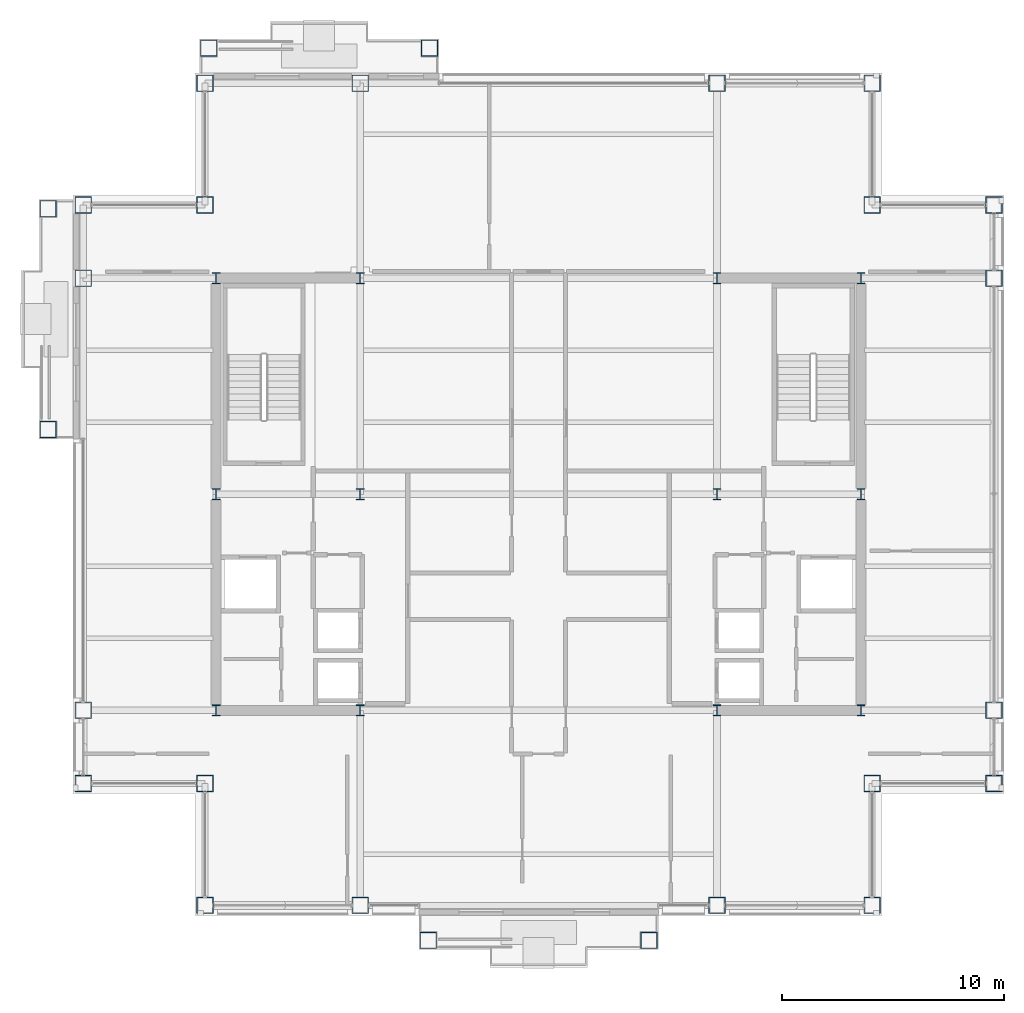
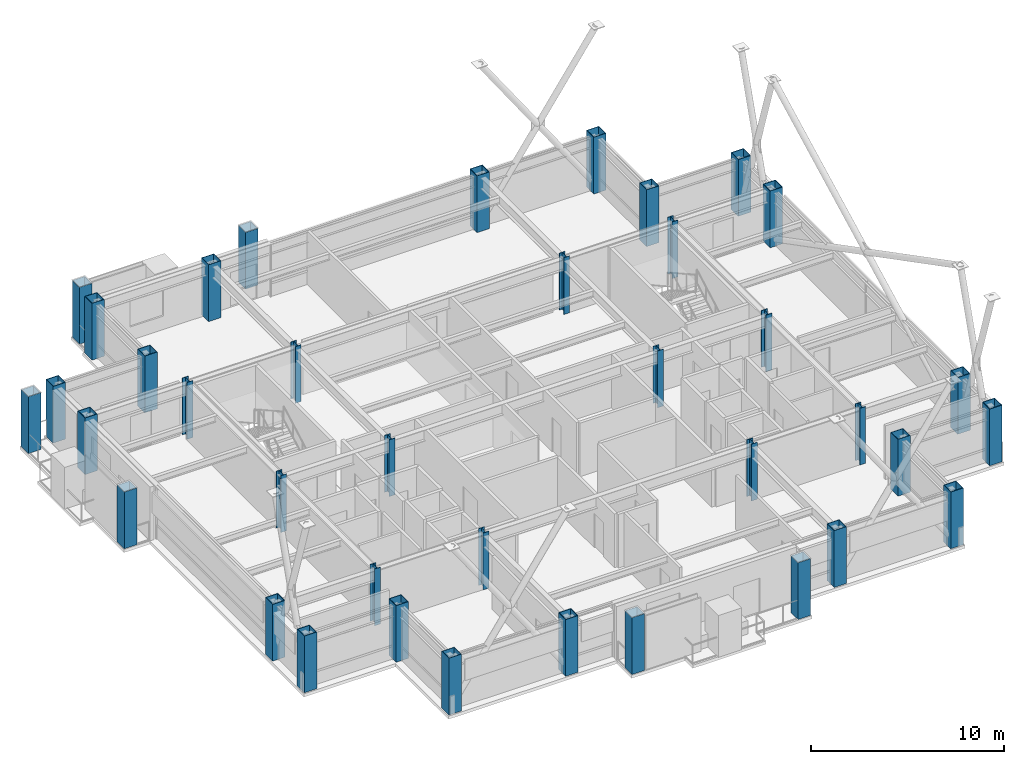
# One storey, part 1 of 32: 38 columns.
"""IFC4 building model written with IfcOpenShell, lengths in metres."""

from ifc_helpers import new_model, si_unit, direction, frame, origin, origin_2d, place, context, subcontext, project, spatial, hollow_rectangle, i_section, extrude, material, material_profile, profile_set, type_object, element, save


model = new_model("IFC4")

# Units and contexts
model_context = context("Model", 3, precision=1e-05, world=origin(), true_north=direction((0.0, 1.0)))
body_context = subcontext(model_context, "Body", "Model", "MODEL_VIEW")
ifc_project = project(units=[si_unit("LENGTHUNIT", "METRE"), si_unit("AREAUNIT", "SQUARE_METRE"), si_unit("VOLUMEUNIT", "CUBIC_METRE"), si_unit("PLANEANGLEUNIT", "RADIAN"), si_unit("MASSUNIT", "GRAM", prefix="KILO")], contexts=[model_context])

# Site, building, storey
site_placement = place(None, origin())
site = spatial("IfcSite", under=ifc_project, at=site_placement, CompositionType="ELEMENT")
building_placement = place(site_placement, origin())
building = spatial("IfcBuilding", under=site, at=building_placement, Name="Brelmoor Portico Tower", CompositionType="ELEMENT")
storey_placement = place(building_placement, frame((0.0, 0.0, 162.300048828125)))
storey = spatial("IfcBuildingStorey", under=building, at=storey_placement, Name="L42", CompositionType="ELEMENT", Elevation=162.300048828125)

# Columns
ifc_material = material(Name="Steel Q355B", Category="steel")
ifc_material_profile_1 = material_profile(ifc_material, hollow_rectangle(XDim=0.75, YDim=0.75, WallThickness=0.031982421875, at=origin_2d()), Name="BOX 750x750x32")
ifc_profile_set_1 = profile_set([ifc_material_profile_1], Name="Steel Q355B")
column_type_1 = type_object("IfcColumnType", Name="COL-MEGA-750", PredefinedType="COLUMN", material=ifc_profile_set_1)
for number, where, z_axis, x_axis, name in (
    (1, (-15.050048828125, -18.550048828125, 0.0), (0.0, 0.0, 1.0), (1.0, 0.0, 0.0), "L42 Perimeter Mega-Column PS01"),
    (2, (-8.050048828125, -18.550048828125, 0.0), (0.0, 0.0, 1.0), (1.0, 0.0, 0.0), "L42 Perimeter Mega-Column PS02"),
    (3, (8.050048828125, -18.550048828125, 0.0), (0.0, 0.0, 1.0), (1.0, 0.0, 0.0), "L42 Perimeter Mega-Column PS03"),
    (4, (15.050048828125, -18.550048828125, 0.0), (0.0, 0.0, 1.0), (1.0, 0.0, 0.0), "L42 Perimeter Mega-Column PS04"),
    (5, (-15.050048828125, 18.550048828125, 0.0), (0.0, 0.0, 1.0), (1.0, 0.0, 0.0), "L42 Perimeter Mega-Column PN01"),
    (6, (-8.050048828125, 18.550048828125, 0.0), (0.0, 0.0, 1.0), (1.0, 0.0, 0.0), "L42 Perimeter Mega-Column PN02"),
    (7, (8.050048828125, 18.550048828125, 0.0), (0.0, 0.0, 1.0), (1.0, 0.0, 0.0), "L42 Perimeter Mega-Column PN03"),
    (8, (15.050048828125, 18.550048828125, 0.0), (0.0, 0.0, 1.0), (1.0, 0.0, 0.0), "L42 Perimeter Mega-Column PN04"),
    (9, (-20.550048828125, -13.050048828125, 0.0), (0.0, 0.0, 1.0), (0.0, 1.0, 0.0), "L42 Perimeter Mega-Column PW01"),
    (10, (-20.550048828125, -9.75, 0.0), (0.0, 0.0, 1.0), (0.0, 1.0, 0.0), "L42 Perimeter Mega-Column PW02"),
    (11, (-20.550048828125, 9.75, 0.0), (0.0, 0.0, 1.0), (0.0, 1.0, 0.0), "L42 Perimeter Mega-Column PW03"),
    (12, (-20.550048828125, 13.050048828125, 0.0), (0.0, 0.0, 1.0), (0.0, 1.0, 0.0), "L42 Perimeter Mega-Column PW04"),
    (13, (20.550048828125, -13.050048828125, 0.0), (0.0, 0.0, 1.0), (0.0, 1.0, 0.0), "L42 Perimeter Mega-Column PE01"),
    (14, (20.550048828125, -9.75, 0.0), (0.0, 0.0, 1.0), (0.0, 1.0, 0.0), "L42 Perimeter Mega-Column PE02"),
    (15, (20.550048828125, 9.75, 0.0), (0.0, 0.0, 1.0), (0.0, 1.0, 0.0), "L42 Perimeter Mega-Column PE03"),
    (16, (20.550048828125, 13.050048828125, 0.0), (0.0, 0.0, 1.0), (0.0, 1.0, 0.0), "L42 Perimeter Mega-Column PE04"),
    (17, (-15.050048828125, 13.050048828125, 0.0), (0.0, 0.0, 1.0), (1.0, 0.0, 0.0), "L42 Perimeter Mega-Column PC-NW"),
    (18, (15.050048828125, 13.050048828125, 0.0), (0.0, 0.0, 1.0), (1.0, 0.0, 0.0), "L42 Perimeter Mega-Column PC-NE"),
    (19, (15.050048828125, -13.050048828125, 0.0), (0.0, 0.0, 1.0), (1.0, 0.0, 0.0), "L42 Perimeter Mega-Column PC-SE"),
    (20, (-15.050048828125, -13.050048828125, 0.0), (0.0, 0.0, 1.0), (1.0, 0.0, 0.0), "L42 Perimeter Mega-Column PC-SW"),
    (21, (-4.97998046875, -20.1298828125, 0.0), (0.0, 0.0, 1.0), (1.0, 0.0, 0.0), "L42 Proud Picture-Frame Pier PFJ-S1"),
    (22, (4.97998046875, -20.1298828125, 0.0), (0.0, 0.0, 1.0), (1.0, 0.0, 0.0), "L42 Proud Picture-Frame Pier PFJ-S2"),
    (23, (-14.8798828125, 20.1298828125, 0.0), (0.0, 0.0, 1.0), (1.0, 0.0, 0.0), "L42 Proud Picture-Frame Pier PFJ-N1"),
    (24, (-4.919921875, 20.1298828125, 0.0), (0.0, 0.0, 1.0), (1.0, 0.0, 0.0), "L42 Proud Picture-Frame Pier PFJ-N2"),
    (25, (-22.1298828125, 2.919921875, 0.0), (0.0, 0.0, 1.0), (0.0, 1.0, 0.0), "L42 Proud Picture-Frame Pier PFJ-W1"),
    (26, (-22.1298828125, 12.8798828125, 0.0), (0.0, 0.0, 1.0), (0.0, 1.0, 0.0), "L42 Proud Picture-Frame Pier PFJ-W2"),
):
    element("IfcColumn", number, at=place(storey_placement, frame(where, z_axis=z_axis, x_axis=x_axis)), inside=storey, type_object=column_type_1, Name=name, PredefinedType="COLUMN", context=body_context, shape_type="SweptSolid", body=[
        extrude(hollow_rectangle(XDim=0.75, YDim=0.75, WallThickness=0.031982421875, at=origin_2d()), origin(), (0.0, 0.0, 1.0), 3.599853515625),
    ])
ifc_material_profile_2 = material_profile(ifc_material, i_section(OverallWidth=0.35009765625, OverallDepth=0.5, WebThickness=0.02001953125, FlangeThickness=0.031982421875, at=origin_2d()), Name="HW 500x350x20x32")
ifc_profile_set_2 = profile_set([ifc_material_profile_2], Name="Steel Q355B")
column_type_2 = type_object("IfcColumnType", Name="COL-SPINE-500", PredefinedType="COLUMN", material=ifc_profile_set_2)
for number, where, z_axis, x_axis, name in (
    (27, (-14.550048828125, -9.75, 0.0), (0.0, 0.0, 1.0), (1.0, 0.0, 0.0), "L42 Core Spine Column CW-SW"),
    (28, (-14.550048828125, 0.0, 0.0), (0.0, 0.0, 1.0), (1.0, 0.0, 0.0), "L42 Core Spine Column CW-MW"),
    (29, (-14.550048828125, 9.75, 0.0), (0.0, 0.0, 1.0), (1.0, 0.0, 0.0), "L42 Core Spine Column CW-NW"),
    (30, (-8.050048828125, -9.75, 0.0), (0.0, 0.0, 1.0), (1.0, 0.0, 0.0), "L42 Core Spine Column CW-SE"),
    (31, (-8.050048828125, 0.0, 0.0), (0.0, 0.0, 1.0), (1.0, 0.0, 0.0), "L42 Core Spine Column CW-ME"),
    (32, (-8.050048828125, 9.75, 0.0), (0.0, 0.0, 1.0), (1.0, 0.0, 0.0), "L42 Core Spine Column CW-NE"),
    (33, (8.050048828125, -9.75, 0.0), (0.0, 0.0, 1.0), (1.0, 0.0, 0.0), "L42 Core Spine Column CE-SW"),
    (34, (8.050048828125, 0.0, 0.0), (0.0, 0.0, 1.0), (1.0, 0.0, 0.0), "L42 Core Spine Column CE-MW"),
    (35, (8.050048828125, 9.75, 0.0), (0.0, 0.0, 1.0), (1.0, 0.0, 0.0), "L42 Core Spine Column CE-NW"),
    (36, (14.550048828125, -9.75, 0.0), (0.0, 0.0, 1.0), (1.0, 0.0, 0.0), "L42 Core Spine Column CE-SE"),
    (37, (14.550048828125, 0.0, 0.0), (0.0, 0.0, 1.0), (1.0, 0.0, 0.0), "L42 Core Spine Column CE-ME"),
    (38, (14.550048828125, 9.75, 0.0), (0.0, 0.0, 1.0), (1.0, 0.0, 0.0), "L42 Core Spine Column CE-NE"),
):
    element("IfcColumn", number, at=place(storey_placement, frame(where, z_axis=z_axis, x_axis=x_axis)), inside=storey, type_object=column_type_2, Name=name, PredefinedType="COLUMN", context=body_context, shape_type="SweptSolid", body=[
        extrude(i_section(OverallWidth=0.35009765625, OverallDepth=0.5, WebThickness=0.02001953125, FlangeThickness=0.031982421875, at=origin_2d()), origin(), (0.0, 0.0, 1.0), 3.599853515625),
    ])

save(model, "model.ifc")
